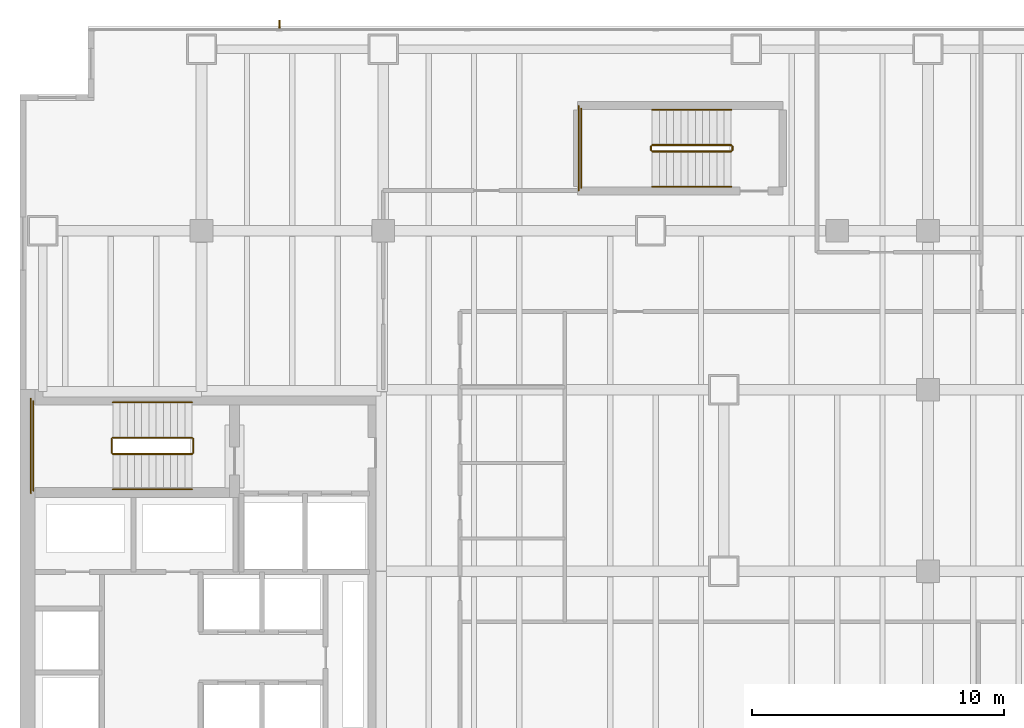
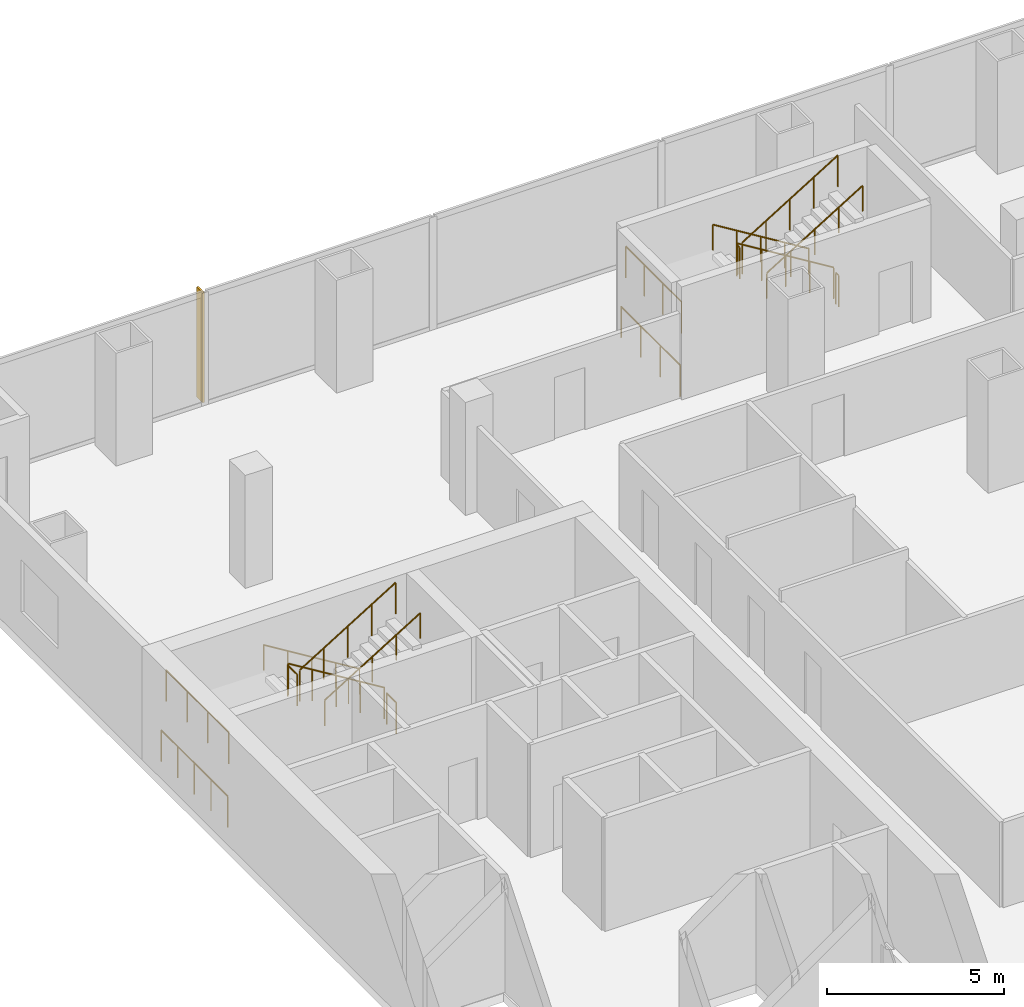
# One storey, part 29 of 31: 16 railings, 1 shading device.
"""IFC4 building model written with IfcOpenShell, lengths in metres."""

from ifc_helpers import new_model, si_unit, direction, frame, origin, origin_2d, place, context, subcontext, project, spatial, polyline, circle, outline, extrude, material, layer, layer_set, type_object, element, save


model = new_model("IFC4")

# Units and contexts
model_context = context("Model", 3, precision=1e-05, world=origin(), true_north=direction((0.0, 1.0)))
body_context = subcontext(model_context, "Body", "Model", "MODEL_VIEW")
ifc_project = project(units=[si_unit("LENGTHUNIT", "METRE"), si_unit("AREAUNIT", "SQUARE_METRE"), si_unit("VOLUMEUNIT", "CUBIC_METRE"), si_unit("PLANEANGLEUNIT", "RADIAN"), si_unit("MASSUNIT", "GRAM", prefix="KILO")], contexts=[model_context])

# Site, building, storey
site_placement = place(None, origin())
site = spatial("IfcSite", under=ifc_project, at=site_placement, CompositionType="ELEMENT")
building_placement = place(site_placement, origin())
building = spatial("IfcBuilding", under=site, at=building_placement, Name="Cobrela Telecom Tower", CompositionType="ELEMENT")
storey_placement = place(building_placement, frame((0.0, 0.0, 9.449951171875)))
storey = spatial("IfcBuildingStorey", under=building, at=storey_placement, Name="L02", CompositionType="ELEMENT", Elevation=9.449951171875)

# Railings
ifc_material_1 = material(Name="Steel ASTM A36", Category="steel")
railing_type_1 = type_object("IfcRailingType", Name="RAIL-GUARD-1100", PredefinedType="GUARDRAIL", material=ifc_material_1)
railing_1_placement = place(storey_placement, frame((6.820068359375, 34.10009765625, 0.175048828125)))
element("IfcRailing", 1, at=railing_1_placement, inside=storey, type_object=railing_type_1, Name="L02 ST1 stair guard 1", PredefinedType="GUARDRAIL", context=body_context, shape_type="SweptSolid", body=[
    extrude(circle(Radius=0.02392578125, at=origin_2d()), frame((0.0, 0.0, 1.076171875), z_axis=(-0.852166034122, 0.0, 0.523271488128), x_axis=(0.0, -1.0, 0.0)), (0.0, 0.0, 1.0), 3.678955078125),
    extrude(circle(Radius=0.02099609375, at=origin_2d()), origin(), (0.0, 0.0, 1.0), 1.052001953125),
    extrude(circle(Radius=0.02099609375, at=origin_2d()), frame((-0.78369140625, 0.0, 0.481201171875)), (0.0, 0.0, 1.0), 1.052001953125),
    extrude(circle(Radius=0.02099609375, at=origin_2d()), frame((-1.5673828125, 0.0, 0.96240234375)), (0.0, 0.0, 1.0), 1.052001953125),
    extrude(circle(Radius=0.02099609375, at=origin_2d()), frame((-2.351318359375, 0.0, 1.44384765625)), (0.0, 0.0, 1.0), 1.052001953125),
    extrude(circle(Radius=0.02099609375, at=origin_2d()), frame((-3.135009765625, 0.0, 1.925048828125)), (0.0, 0.0, 1.0), 1.052001953125),
])
railing_2_placement = place(storey_placement, frame((3.635009765625, 34.050048828125, 2.10009765625)))
element("IfcRailing", 2, at=railing_2_placement, inside=storey, type_object=railing_type_1, Name="L02 ST1 stair guard 2", PredefinedType="GUARDRAIL", context=body_context, shape_type="SweptSolid", body=[
    extrude(circle(Radius=0.02392578125, at=origin_2d()), frame((0.0, 0.0, 1.076171875), z_axis=(0.0, -1.0, 0.0), x_axis=(1.0, 0.0, 0.0)), (0.0, 0.0, 1.0), 0.550048828125),
    extrude(circle(Radius=0.02099609375, at=origin_2d()), origin(), (0.0, 0.0, 1.0), 1.052001953125),
    extrude(circle(Radius=0.02099609375, at=origin_2d()), frame((0.0, -0.550048828125, 0.0)), (0.0, 0.0, 1.0), 1.052001953125),
])
railing_3_placement = place(storey_placement, frame((0.530029296875, 35.550048828125, 2.10009765625)))
element("IfcRailing", 3, at=railing_3_placement, inside=storey, type_object=railing_type_1, Name="L02 ST1 stair guard 3", PredefinedType="GUARDRAIL", context=body_context, shape_type="SweptSolid", body=[
    extrude(circle(Radius=0.02392578125, at=origin_2d()), frame((0.0, 0.0, 1.076171875), z_axis=(0.0, -1.0, 0.0), x_axis=(1.0, 0.0, 0.0)), (0.0, 0.0, 1.0), 3.550048828125),
    extrude(circle(Radius=0.02099609375, at=origin_2d()), origin(), (0.0, 0.0, 1.0), 1.052001953125),
    extrude(circle(Radius=0.02099609375, at=origin_2d()), frame((0.0, -1.183349609375, 0.0)), (0.0, 0.0, 1.0), 1.052001953125),
    extrude(circle(Radius=0.02099609375, at=origin_2d()), frame((0.0, -2.36669921875, 0.0)), (0.0, 0.0, 1.0), 1.052001953125),
    extrude(circle(Radius=0.02099609375, at=origin_2d()), frame((0.0, -3.550048828125, 0.0)), (0.0, 0.0, 1.0), 1.052001953125),
])
railing_4_placement = place(storey_placement, frame((3.68505859375, 33.449951171875, 2.275146484375)))
element("IfcRailing", 4, at=railing_4_placement, inside=storey, type_object=railing_type_1, Name="L02 ST1 stair guard 4", PredefinedType="GUARDRAIL", context=body_context, shape_type="SweptSolid", body=[
    extrude(circle(Radius=0.02392578125, at=origin_2d()), frame((0.0, 0.0, 1.076171875), z_axis=(0.852195625947, 0.0, 0.523223293744), x_axis=(0.0, 1.0, 0.0)), (0.0, 0.0, 1.0), 3.6787109375),
    extrude(circle(Radius=0.02099609375, at=origin_2d()), origin(), (0.0, 0.0, 1.0), 1.052001953125),
    extrude(circle(Radius=0.02099609375, at=origin_2d()), frame((0.78369140625, 0.0, 0.481201171875)), (0.0, 0.0, 1.0), 1.052001953125),
    extrude(circle(Radius=0.02099609375, at=origin_2d()), frame((1.5673828125, 0.0, 0.96240234375)), (0.0, 0.0, 1.0), 1.052001953125),
    extrude(circle(Radius=0.02099609375, at=origin_2d()), frame((2.351318359375, 0.0, 1.443603515625)), (0.0, 0.0, 1.0), 1.052001953125),
    extrude(circle(Radius=0.02099609375, at=origin_2d()), frame((3.135009765625, 0.0, 1.9248046875)), (0.0, 0.0, 1.0), 1.052001953125),
])
railing_5_placement = place(storey_placement, frame((6.8701171875, 34.050048828125, 0.0)))
element("IfcRailing", 5, at=railing_5_placement, inside=storey, type_object=railing_type_1, Name="L02 ST1 stair guard 5", PredefinedType="GUARDRAIL", context=body_context, shape_type="SweptSolid", body=[
    extrude(circle(Radius=0.02392578125, at=origin_2d()), frame((0.0, 0.0, 1.076171875), z_axis=(0.0, -1.0, 0.0), x_axis=(1.0, 0.0, 0.0)), (0.0, 0.0, 1.0), 0.550048828125),
    extrude(circle(Radius=0.02099609375, at=origin_2d()), origin(), (0.0, 0.0, 1.0), 1.052001953125),
    extrude(circle(Radius=0.02099609375, at=origin_2d()), frame((0.0, -0.550048828125, 0.0)), (0.0, 0.0, 1.0), 1.052001953125),
])
railing_6_placement = place(storey_placement, frame((0.429931640625, 35.64990234375, 0.0)))
element("IfcRailing", 6, at=railing_6_placement, inside=storey, type_object=railing_type_1, Name="L02 ST1 stair guard 6", PredefinedType="GUARDRAIL", context=body_context, shape_type="SweptSolid", body=[
    extrude(circle(Radius=0.02392578125, at=origin_2d()), frame((0.0, 0.0, 1.076171875), z_axis=(0.0, -1.0, 0.0), x_axis=(1.0, 0.0, 0.0)), (0.0, 0.0, 1.0), 3.75),
    extrude(circle(Radius=0.02099609375, at=origin_2d()), origin(), (0.0, 0.0, 1.0), 1.052001953125),
    extrude(circle(Radius=0.02099609375, at=origin_2d()), frame((0.0, -0.9375, 0.0)), (0.0, 0.0, 1.0), 1.052001953125),
    extrude(circle(Radius=0.02099609375, at=origin_2d()), frame((0.0, -1.875, 0.0)), (0.0, 0.0, 1.0), 1.052001953125),
    extrude(circle(Radius=0.02099609375, at=origin_2d()), frame((0.0, -2.8125, 0.0)), (0.0, 0.0, 1.0), 1.052001953125),
    extrude(circle(Radius=0.02099609375, at=origin_2d()), frame((0.0, -3.75, 0.0)), (0.0, 0.0, 1.0), 1.052001953125),
])
railing_7_placement = place(storey_placement, frame((28.199951171875, 45.699951171875, 0.175048828125)))
element("IfcRailing", 7, at=railing_7_placement, inside=storey, type_object=railing_type_1, Name="L02 ST3 stair guard 1", PredefinedType="GUARDRAIL", context=body_context, shape_type="SweptSolid", body=[
    extrude(circle(Radius=0.02392578125, at=origin_2d()), frame((0.0, 0.0, 1.076171875), z_axis=(-0.852166034122, 0.0, 0.523271488128), x_axis=(0.0, -1.0, 0.0)), (0.0, 0.0, 1.0), 3.678955078125),
    extrude(circle(Radius=0.02099609375, at=origin_2d()), origin(), (0.0, 0.0, 1.0), 1.052001953125),
    extrude(circle(Radius=0.02099609375, at=origin_2d()), frame((-0.78369140625, 0.0, 0.481201171875)), (0.0, 0.0, 1.0), 1.052001953125),
    extrude(circle(Radius=0.02099609375, at=origin_2d()), frame((-1.5673828125, 0.0, 0.96240234375)), (0.0, 0.0, 1.0), 1.052001953125),
    extrude(circle(Radius=0.02099609375, at=origin_2d()), frame((-2.351318359375, 0.0, 1.44384765625)), (0.0, 0.0, 1.0), 1.052001953125),
    extrude(circle(Radius=0.02099609375, at=origin_2d()), frame((-3.135009765625, 0.0, 1.925048828125)), (0.0, 0.0, 1.0), 1.052001953125),
])
railing_8_placement = place(storey_placement, frame((25.014892578125, 45.64990234375, 2.10009765625)))
element("IfcRailing", 8, at=railing_8_placement, inside=storey, type_object=railing_type_1, Name="L02 ST3 stair guard 2", PredefinedType="GUARDRAIL", context=body_context, shape_type="SweptSolid", body=[
    extrude(circle(Radius=0.02392578125, at=origin_2d()), frame((0.0, 0.0, 1.076171875), z_axis=(0.0, -1.0, 0.0), x_axis=(1.0, 0.0, 0.0)), (0.0, 0.0, 1.0), 0.14990234375),
    extrude(circle(Radius=0.02099609375, at=origin_2d()), origin(), (0.0, 0.0, 1.0), 1.052001953125),
    extrude(circle(Radius=0.02099609375, at=origin_2d()), frame((0.0, -0.14990234375, 0.0)), (0.0, 0.0, 1.0), 1.052001953125),
])
railing_9_placement = place(storey_placement, frame((22.25, 47.14990234375, 2.10009765625)))
element("IfcRailing", 9, at=railing_9_placement, inside=storey, type_object=railing_type_1, Name="L02 ST3 stair guard 3", PredefinedType="GUARDRAIL", context=body_context, shape_type="SweptSolid", body=[
    extrude(circle(Radius=0.02392578125, at=origin_2d()), frame((0.0, 0.0, 1.076171875), z_axis=(0.0, -1.0, 0.0), x_axis=(1.0, 0.0, 0.0)), (0.0, 0.0, 1.0), 3.14990234375),
    extrude(circle(Radius=0.02099609375, at=origin_2d()), origin(), (0.0, 0.0, 1.0), 1.052001953125),
    extrude(circle(Radius=0.02099609375, at=origin_2d()), frame((0.0, -1.050048828125, 0.0)), (0.0, 0.0, 1.0), 1.052001953125),
    extrude(circle(Radius=0.02099609375, at=origin_2d()), frame((0.0, -2.099853515625, 0.0)), (0.0, 0.0, 1.0), 1.052001953125),
    extrude(circle(Radius=0.02099609375, at=origin_2d()), frame((0.0, -3.14990234375, 0.0)), (0.0, 0.0, 1.0), 1.052001953125),
])
railing_10_placement = place(storey_placement, frame((25.06494140625, 45.449951171875, 2.275146484375)))
element("IfcRailing", 10, at=railing_10_placement, inside=storey, type_object=railing_type_1, Name="L02 ST3 stair guard 4", PredefinedType="GUARDRAIL", context=body_context, shape_type="SweptSolid", body=[
    extrude(circle(Radius=0.02392578125, at=origin_2d()), frame((0.0, 0.0, 1.076171875), z_axis=(0.852195625947, 0.0, 0.523223293744), x_axis=(0.0, 1.0, 0.0)), (0.0, 0.0, 1.0), 3.6787109375),
    extrude(circle(Radius=0.02099609375, at=origin_2d()), origin(), (0.0, 0.0, 1.0), 1.052001953125),
    extrude(circle(Radius=0.02099609375, at=origin_2d()), frame((0.78369140625, 0.0, 0.481201171875)), (0.0, 0.0, 1.0), 1.052001953125),
    extrude(circle(Radius=0.02099609375, at=origin_2d()), frame((1.5673828125, 0.0, 0.96240234375)), (0.0, 0.0, 1.0), 1.052001953125),
    extrude(circle(Radius=0.02099609375, at=origin_2d()), frame((2.351318359375, 0.0, 1.443603515625)), (0.0, 0.0, 1.0), 1.052001953125),
    extrude(circle(Radius=0.02099609375, at=origin_2d()), frame((3.135009765625, 0.0, 1.9248046875)), (0.0, 0.0, 1.0), 1.052001953125),
])
railing_11_placement = place(storey_placement, frame((28.25, 45.64990234375, 0.0)))
element("IfcRailing", 11, at=railing_11_placement, inside=storey, type_object=railing_type_1, Name="L02 ST3 stair guard 5", PredefinedType="GUARDRAIL", context=body_context, shape_type="SweptSolid", body=[
    extrude(circle(Radius=0.02392578125, at=origin_2d()), frame((0.0, 0.0, 1.076171875), z_axis=(0.0, -1.0, 0.0), x_axis=(1.0, 0.0, 0.0)), (0.0, 0.0, 1.0), 0.14990234375),
    extrude(circle(Radius=0.02099609375, at=origin_2d()), origin(), (0.0, 0.0, 1.0), 1.052001953125),
    extrude(circle(Radius=0.02099609375, at=origin_2d()), frame((0.0, -0.14990234375, 0.0)), (0.0, 0.0, 1.0), 1.052001953125),
])
railing_12_placement = place(storey_placement, frame((22.14990234375, 47.25, 0.0)))
element("IfcRailing", 12, at=railing_12_placement, inside=storey, type_object=railing_type_1, Name="L02 ST3 stair guard 6", PredefinedType="GUARDRAIL", context=body_context, shape_type="SweptSolid", body=[
    extrude(circle(Radius=0.02392578125, at=origin_2d()), frame((0.0, 0.0, 1.076171875), z_axis=(0.0, -1.0, 0.0), x_axis=(1.0, 0.0, 0.0)), (0.0, 0.0, 1.0), 3.35009765625),
    extrude(circle(Radius=0.02099609375, at=origin_2d()), origin(), (0.0, 0.0, 1.0), 1.052001953125),
    extrude(circle(Radius=0.02099609375, at=origin_2d()), frame((0.0, -1.11669921875, 0.0)), (0.0, 0.0, 1.0), 1.052001953125),
    extrude(circle(Radius=0.02099609375, at=origin_2d()), frame((0.0, -2.2333984375, 0.0)), (0.0, 0.0, 1.0), 1.052001953125),
    extrude(circle(Radius=0.02099609375, at=origin_2d()), frame((0.0, -3.35009765625, 0.0)), (0.0, 0.0, 1.0), 1.052001953125),
])
railing_type_2 = type_object("IfcRailingType", Name="RAIL-HAND-920", PredefinedType="HANDRAIL", material=ifc_material_1)
railing_13_placement = place(storey_placement, frame((6.820068359375, 35.5, 0.175048828125)))
element("IfcRailing", 13, at=railing_13_placement, inside=storey, type_object=railing_type_2, Name="L02 ST1 stair handrail 1", PredefinedType="HANDRAIL", context=body_context, shape_type="SweptSolid", body=[
    extrude(circle(Radius=0.02392578125, at=origin_2d()), frame((0.0, 0.0, 0.8759765625), z_axis=(-0.852166034122, 0.0, 0.523271488128), x_axis=(0.0, -1.0, 0.0)), (0.0, 0.0, 1.0), 3.678955078125),
    extrude(circle(Radius=0.02099609375, at=origin_2d()), origin(), (0.0, 0.0, 1.0), 0.851806640625),
    extrude(circle(Radius=0.02099609375, at=origin_2d()), frame((-0.78369140625, 0.0, 0.481201171875)), (0.0, 0.0, 1.0), 0.851806640625),
    extrude(circle(Radius=0.02099609375, at=origin_2d()), frame((-1.5673828125, 0.0, 0.96240234375)), (0.0, 0.0, 1.0), 0.851806640625),
    extrude(circle(Radius=0.02099609375, at=origin_2d()), frame((-2.351318359375, 0.0, 1.44384765625)), (0.0, 0.0, 1.0), 0.851806640625),
    extrude(circle(Radius=0.02099609375, at=origin_2d()), frame((-3.135009765625, 0.0, 1.925048828125)), (0.0, 0.0, 1.0), 0.851806640625),
])
railing_14_placement = place(storey_placement, frame((3.68505859375, 32.050048828125, 2.275146484375)))
element("IfcRailing", 14, at=railing_14_placement, inside=storey, type_object=railing_type_2, Name="L02 ST1 stair handrail 2", PredefinedType="HANDRAIL", context=body_context, shape_type="SweptSolid", body=[
    extrude(circle(Radius=0.02392578125, at=origin_2d()), frame((0.0, 0.0, 0.8759765625), z_axis=(0.852195625947, 0.0, 0.523223293744), x_axis=(0.0, 1.0, 0.0)), (0.0, 0.0, 1.0), 3.6787109375),
    extrude(circle(Radius=0.02099609375, at=origin_2d()), origin(), (0.0, 0.0, 1.0), 0.851806640625),
    extrude(circle(Radius=0.02099609375, at=origin_2d()), frame((0.78369140625, 0.0, 0.481201171875)), (0.0, 0.0, 1.0), 0.851806640625),
    extrude(circle(Radius=0.02099609375, at=origin_2d()), frame((1.5673828125, 0.0, 0.96240234375)), (0.0, 0.0, 1.0), 0.851806640625),
    extrude(circle(Radius=0.02099609375, at=origin_2d()), frame((2.351318359375, 0.0, 1.443603515625)), (0.0, 0.0, 1.0), 0.851806640625),
    extrude(circle(Radius=0.02099609375, at=origin_2d()), frame((3.135009765625, 0.0, 1.9248046875)), (0.0, 0.0, 1.0), 0.851806640625),
])
railing_15_placement = place(storey_placement, frame((28.199951171875, 47.10009765625, 0.175048828125)))
element("IfcRailing", 15, at=railing_15_placement, inside=storey, type_object=railing_type_2, Name="L02 ST3 stair handrail 1", PredefinedType="HANDRAIL", context=body_context, shape_type="SweptSolid", body=[
    extrude(circle(Radius=0.02392578125, at=origin_2d()), frame((0.0, 0.0, 0.8759765625), z_axis=(-0.852166034122, 0.0, 0.523271488128), x_axis=(0.0, -1.0, 0.0)), (0.0, 0.0, 1.0), 3.678955078125),
    extrude(circle(Radius=0.02099609375, at=origin_2d()), origin(), (0.0, 0.0, 1.0), 0.851806640625),
    extrude(circle(Radius=0.02099609375, at=origin_2d()), frame((-0.78369140625, 0.0, 0.481201171875)), (0.0, 0.0, 1.0), 0.851806640625),
    extrude(circle(Radius=0.02099609375, at=origin_2d()), frame((-1.5673828125, 0.0, 0.96240234375)), (0.0, 0.0, 1.0), 0.851806640625),
    extrude(circle(Radius=0.02099609375, at=origin_2d()), frame((-2.351318359375, 0.0, 1.44384765625)), (0.0, 0.0, 1.0), 0.851806640625),
    extrude(circle(Radius=0.02099609375, at=origin_2d()), frame((-3.135009765625, 0.0, 1.925048828125)), (0.0, 0.0, 1.0), 0.851806640625),
])
railing_16_placement = place(storey_placement, frame((25.06494140625, 44.050048828125, 2.275146484375)))
element("IfcRailing", 16, at=railing_16_placement, inside=storey, type_object=railing_type_2, Name="L02 ST3 stair handrail 2", PredefinedType="HANDRAIL", context=body_context, shape_type="SweptSolid", body=[
    extrude(circle(Radius=0.02392578125, at=origin_2d()), frame((0.0, 0.0, 0.8759765625), z_axis=(0.852195625947, 0.0, 0.523223293744), x_axis=(0.0, 1.0, 0.0)), (0.0, 0.0, 1.0), 3.6787109375),
    extrude(circle(Radius=0.02099609375, at=origin_2d()), origin(), (0.0, 0.0, 1.0), 0.851806640625),
    extrude(circle(Radius=0.02099609375, at=origin_2d()), frame((0.78369140625, 0.0, 0.481201171875)), (0.0, 0.0, 1.0), 0.851806640625),
    extrude(circle(Radius=0.02099609375, at=origin_2d()), frame((1.5673828125, 0.0, 0.96240234375)), (0.0, 0.0, 1.0), 0.851806640625),
    extrude(circle(Radius=0.02099609375, at=origin_2d()), frame((2.351318359375, 0.0, 1.443603515625)), (0.0, 0.0, 1.0), 0.851806640625),
    extrude(circle(Radius=0.02099609375, at=origin_2d()), frame((3.135009765625, 0.0, 1.9248046875)), (0.0, 0.0, 1.0), 0.851806640625),
])

# Shading device
ifc_material_2 = material(Name="Anodized Bronze Aluminium 6063-T6", Category="aluminium")
ifc_layer = layer(ifc_material_2, 0.06005859375)
ifc_layer_set = layer_set([ifc_layer], Name="Anodized Bronze Aluminium 6063-T6")
shading_device_type = type_object("IfcShadingDeviceType", Name="SHD-FIN-BRZ", PredefinedType="USERDEFINED", material=ifc_layer_set)
shading_device_placement = place(storey_placement, frame((0.0, 0.0, 0.050048828125)))
element("IfcShadingDevice", 17, at=shading_device_placement, inside=storey, type_object=shading_device_type, Name="L02 Anodized Bronze Solar Fin 01", ObjectType="SUNSHADE", PredefinedType="USERDEFINED", context=body_context, shape_type="SweptSolid", body=[
    extrude(outline(polyline([(10.25, 50.320068359375), (10.31005859375, 50.320068359375), (10.31005859375, 50.659912109375), (10.25, 50.659912109375), (10.25, 50.320068359375)])), origin(), (0.0, 0.0, 1.0), 3.800048828125),
])

save(model, "model.ifc")
